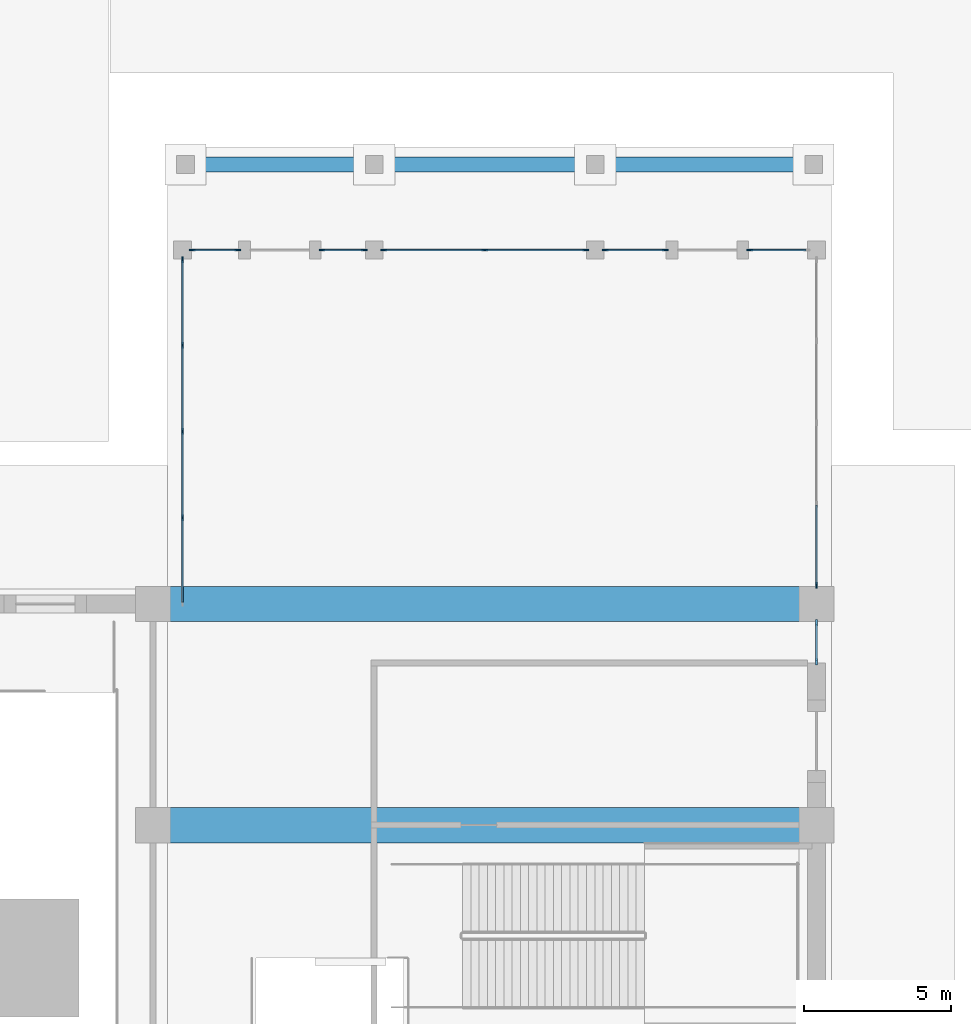
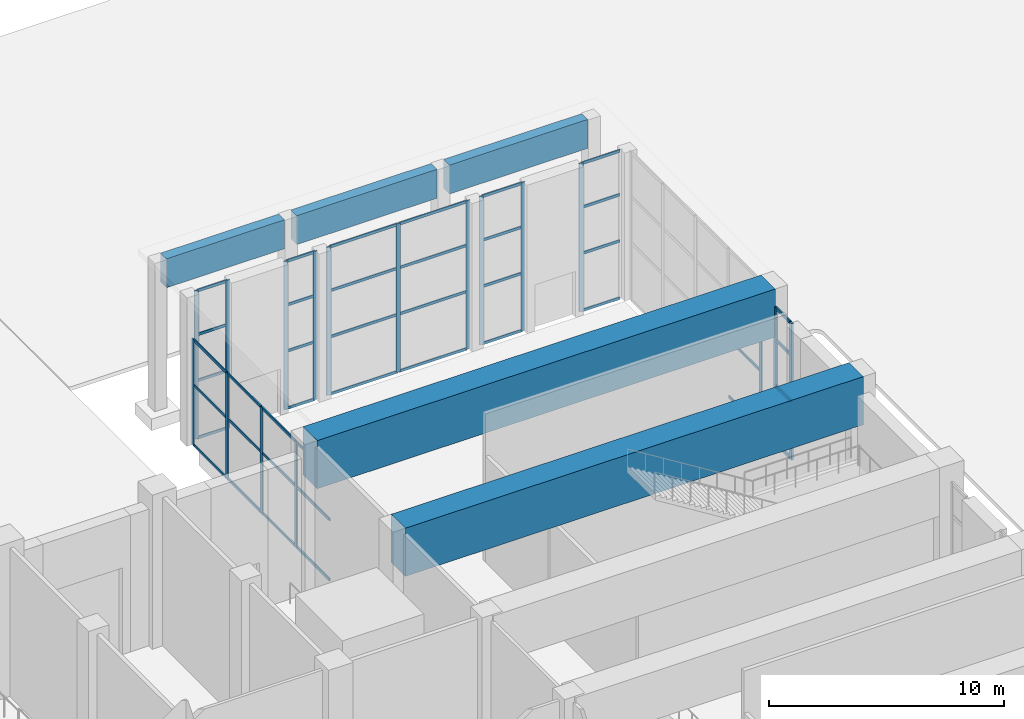
# One storey, part 14 of 57: 59 members, 5 beams, 8 elements without a shape of their own.
"""IFC4 building model written with IfcOpenShell, lengths in metres."""

from ifc_helpers import new_model, si_unit, direction, frame, origin, origin_2d, place, context, subcontext, project, spatial, rectangle, extrude, material, layer, layer_set, material_profile, profile_set, type_object, element, aggregate, save


model = new_model("IFC4")

# Units and contexts
model_context = context("Model", 3, precision=1e-05, world=origin(), true_north=direction((0.0, 1.0)))
body_context = subcontext(model_context, "Body", "Model", "MODEL_VIEW")
ifc_project = project(units=[si_unit("LENGTHUNIT", "METRE"), si_unit("AREAUNIT", "SQUARE_METRE"), si_unit("VOLUMEUNIT", "CUBIC_METRE"), si_unit("PLANEANGLEUNIT", "RADIAN"), si_unit("MASSUNIT", "GRAM", prefix="KILO")], contexts=[model_context])

# Site, building, storey
site_placement = place(None, origin())
site = spatial("IfcSite", under=ifc_project, at=site_placement, CompositionType="ELEMENT")
building_placement = place(site_placement, origin())
building = spatial("IfcBuilding", under=site, at=building_placement, Name="Tamorin Gate", CompositionType="ELEMENT")
storey_placement = place(building_placement, origin())
storey = spatial("IfcBuildingStorey", under=building, at=storey_placement, Name="L00", CompositionType="ELEMENT", Elevation=0.0)

# Curtain wall, members
ifc_material_1 = material(Name="Aluminium and glass", Category="aluminium")
ifc_layer_1 = layer(ifc_material_1, 0.199951171875)
ifc_layer_set_1 = layer_set([ifc_layer_1], Name="Station concourse glazing system")
curtain_wall_type_1 = type_object("IfcCurtainWallType", Name="Station concourse glazing system", PredefinedType="NOTDEFINED", material=ifc_layer_set_1)
curtain_wall_1_placement = place(storey_placement, origin())
curtain_wall_1 = element("IfcCurtainWall", 1, at=curtain_wall_1_placement, inside=storey, type_object=curtain_wall_type_1, Name="Station concourse glazing system L00", PredefinedType="NOTDEFINED")
ifc_material_2 = material(Name="Aluminium", Category="aluminium")
ifc_material_profile_1 = material_profile(ifc_material_2, rectangle(XDim=0.080078125, YDim=0.219970703125, at=origin_2d()), Name="RECT 80x220")
ifc_profile_set_1 = profile_set([ifc_material_profile_1], Name="Aluminium")
member_type_1 = type_object("IfcMemberType", Name="Concourse mullion 80x220", PredefinedType="MULLION", material=ifc_profile_set_1)
member_1_placement = place(storey_placement, frame((112.0, 110.0400390625, 0.0), z_axis=(0.0, 0.0, 1.0), x_axis=(-1.0, 0.0, 0.0)))
member_1 = element("IfcMember", 2, at=member_1_placement, type_object=member_type_1, Name="CWP11 mullion 1", PredefinedType="MULLION", context=body_context, shape_type="SweptSolid", body=[
    extrude(rectangle(XDim=0.080078125, YDim=0.219970703125, at=origin_2d()), origin(), (0.0, 0.0, 1.0), 7.10009765625),
])
member_2_placement = place(storey_placement, frame((112.0, 111.360107421875, 0.0), z_axis=(0.0, 0.0, 1.0), x_axis=(-1.0, 0.0, 0.0)))
member_2 = element("IfcMember", 3, at=member_2_placement, type_object=member_type_1, Name="CWP11 mullion 2", PredefinedType="MULLION", context=body_context, shape_type="SweptSolid", body=[
    extrude(rectangle(XDim=0.080078125, YDim=0.219970703125, at=origin_2d()), origin(), (0.0, 0.0, 1.0), 7.10009765625),
])
ifc_material_profile_2 = material_profile(ifc_material_2, rectangle(XDim=0.080078125, YDim=0.159912109375, at=origin_2d()), Name="RECT 80x160")
ifc_profile_set_2 = profile_set([ifc_material_profile_2], Name="Aluminium")
member_type_2 = type_object("IfcMemberType", Name="Concourse transom 80x160", PredefinedType="USERDEFINED", material=ifc_profile_set_2)
member_3_placement = place(storey_placement, frame((112.0, 110.080078125, 0.0400390625), z_axis=(0.0, 1.0, 0.0), x_axis=(-1.0, 0.0, 0.0)))
member_3 = element("IfcMember", 4, at=member_3_placement, type_object=member_type_2, Name="CWP11 transom 1.1", ObjectType="TRANSOM", PredefinedType="USERDEFINED", context=body_context, shape_type="SweptSolid", body=[
    extrude(rectangle(XDim=0.080078125, YDim=0.159912109375, at=origin_2d()), origin(), (0.0, 0.0, 1.0), 1.239990234375),
])
member_4_placement = place(storey_placement, frame((112.0, 110.080078125, 3.0), z_axis=(0.0, 1.0, 0.0), x_axis=(-1.0, 0.0, 0.0)))
member_4 = element("IfcMember", 5, at=member_4_placement, type_object=member_type_2, Name="CWP11 transom 1.2", ObjectType="TRANSOM", PredefinedType="USERDEFINED", context=body_context, shape_type="SweptSolid", body=[
    extrude(rectangle(XDim=0.080078125, YDim=0.159912109375, at=origin_2d()), origin(), (0.0, 0.0, 1.0), 1.239990234375),
])
member_5_placement = place(storey_placement, frame((112.0, 110.080078125, 5.39990234375), z_axis=(0.0, 1.0, 0.0), x_axis=(-1.0, 0.0, 0.0)))
member_5 = element("IfcMember", 6, at=member_5_placement, type_object=member_type_2, Name="CWP11 transom 1.3", ObjectType="TRANSOM", PredefinedType="USERDEFINED", context=body_context, shape_type="SweptSolid", body=[
    extrude(rectangle(XDim=0.080078125, YDim=0.159912109375, at=origin_2d()), origin(), (0.0, 0.0, 1.0), 1.239990234375),
])
member_6_placement = place(storey_placement, frame((112.0, 110.080078125, 7.06005859375), z_axis=(0.0, 1.0, 0.0), x_axis=(-1.0, 0.0, 0.0)))
member_6 = element("IfcMember", 7, at=member_6_placement, type_object=member_type_2, Name="CWP11 transom 1.4", ObjectType="TRANSOM", PredefinedType="USERDEFINED", context=body_context, shape_type="SweptSolid", body=[
    extrude(rectangle(XDim=0.080078125, YDim=0.159912109375, at=origin_2d()), origin(), (0.0, 0.0, 1.0), 1.239990234375),
])
aggregate(curtain_wall_1, [member_1, member_2, member_3, member_4, member_5, member_6])

ifc_layer_2 = layer(ifc_material_1, 0.199951171875)
ifc_layer_set_2 = layer_set([ifc_layer_2], Name="Station pavilion glazing system")
curtain_wall_type_2 = type_object("IfcCurtainWallType", Name="Station pavilion glazing system", PredefinedType="NOTDEFINED", material=ifc_layer_set_2)
curtain_wall_2_placement = place(storey_placement, origin())
curtain_wall_2 = element("IfcCurtainWall", 8, at=curtain_wall_2_placement, inside=storey, type_object=curtain_wall_type_2, Name="Station pavilion glazing system L00", PredefinedType="NOTDEFINED")
ifc_material_profile_3 = material_profile(ifc_material_2, rectangle(XDim=0.06005859375, YDim=0.199951171875, at=origin_2d()), Name="RECT 60x200")
ifc_profile_set_3 = profile_set([ifc_material_profile_3], Name="Aluminium")
member_type_3 = type_object("IfcMemberType", Name="Pavilion mullion 60x200", PredefinedType="MULLION", material=ifc_profile_set_3)
member_7_placement = place(storey_placement, frame((90.830078125, 124.0, 0.0), z_axis=(0.0, 0.0, 1.0), x_axis=(0.0, 1.0, 0.0)))
member_7 = element("IfcMember", 9, at=member_7_placement, type_object=member_type_3, Name="CWP12 mullion 1", PredefinedType="MULLION", context=body_context, shape_type="SweptSolid", body=[
    extrude(rectangle(XDim=0.06005859375, YDim=0.199951171875, at=origin_2d()), origin(), (0.0, 0.0, 1.0), 7.699951171875),
])
member_8_placement = place(storey_placement, frame((92.3701171875, 124.0, 0.0), z_axis=(0.0, 0.0, 1.0), x_axis=(0.0, 1.0, 0.0)))
member_8 = element("IfcMember", 10, at=member_8_placement, type_object=member_type_3, Name="CWP12 mullion 2", PredefinedType="MULLION", context=body_context, shape_type="SweptSolid", body=[
    extrude(rectangle(XDim=0.06005859375, YDim=0.199951171875, at=origin_2d()), origin(), (0.0, 0.0, 1.0), 7.699951171875),
])

curtain_wall_3_placement = place(storey_placement, origin())
curtain_wall_3 = element("IfcCurtainWall", 11, at=curtain_wall_3_placement, inside=storey, type_object=curtain_wall_type_2, Name="Station pavilion glazing system L00", PredefinedType="NOTDEFINED")
member_9_placement = place(storey_placement, frame((95.22998046875, 124.0, 0.0), z_axis=(0.0, 0.0, 1.0), x_axis=(0.0, 1.0, 0.0)))
member_9 = element("IfcMember", 12, at=member_9_placement, type_object=member_type_3, Name="CWP12 mullion 1", PredefinedType="MULLION", context=body_context, shape_type="SweptSolid", body=[
    extrude(rectangle(XDim=0.06005859375, YDim=0.199951171875, at=origin_2d()), origin(), (0.0, 0.0, 1.0), 7.699951171875),
])
member_10_placement = place(storey_placement, frame((96.669921875, 124.0, 0.0), z_axis=(0.0, 0.0, 1.0), x_axis=(0.0, 1.0, 0.0)))
member_10 = element("IfcMember", 13, at=member_10_placement, type_object=member_type_3, Name="CWP12 mullion 2", PredefinedType="MULLION", context=body_context, shape_type="SweptSolid", body=[
    extrude(rectangle(XDim=0.06005859375, YDim=0.199951171875, at=origin_2d()), origin(), (0.0, 0.0, 1.0), 7.699951171875),
])

curtain_wall_4_placement = place(storey_placement, origin())
curtain_wall_4 = element("IfcCurtainWall", 14, at=curtain_wall_4_placement, inside=storey, type_object=curtain_wall_type_2, Name="Station pavilion glazing system L00", PredefinedType="NOTDEFINED")
member_11_placement = place(storey_placement, frame((97.330078125, 124.0, 0.0), z_axis=(0.0, 0.0, 1.0), x_axis=(0.0, 1.0, 0.0)))
member_11 = element("IfcMember", 15, at=member_11_placement, type_object=member_type_3, Name="CWP12 mullion 1", PredefinedType="MULLION", context=body_context, shape_type="SweptSolid", body=[
    extrude(rectangle(XDim=0.06005859375, YDim=0.199951171875, at=origin_2d()), origin(), (0.0, 0.0, 1.0), 7.699951171875),
])
member_12_placement = place(storey_placement, frame((100.75, 124.0, 0.0), z_axis=(0.0, 0.0, 1.0), x_axis=(0.0, 1.0, 0.0)))
member_12 = element("IfcMember", 16, at=member_12_placement, type_object=member_type_3, Name="CWP12 mullion 2", PredefinedType="MULLION", context=body_context, shape_type="SweptSolid", body=[
    extrude(rectangle(XDim=0.06005859375, YDim=0.199951171875, at=origin_2d()), origin(), (0.0, 0.0, 1.0), 7.699951171875),
])
member_13_placement = place(storey_placement, frame((104.169921875, 124.0, 0.0), z_axis=(0.0, 0.0, 1.0), x_axis=(0.0, 1.0, 0.0)))
member_13 = element("IfcMember", 17, at=member_13_placement, type_object=member_type_3, Name="CWP12 mullion 3", PredefinedType="MULLION", context=body_context, shape_type="SweptSolid", body=[
    extrude(rectangle(XDim=0.06005859375, YDim=0.199951171875, at=origin_2d()), origin(), (0.0, 0.0, 1.0), 7.699951171875),
])

curtain_wall_5_placement = place(storey_placement, origin())
curtain_wall_5 = element("IfcCurtainWall", 18, at=curtain_wall_5_placement, inside=storey, type_object=curtain_wall_type_2, Name="Station pavilion glazing system L00", PredefinedType="NOTDEFINED")
member_14_placement = place(storey_placement, frame((104.830078125, 124.0, 0.0), z_axis=(0.0, 0.0, 1.0), x_axis=(0.0, 1.0, 0.0)))
member_14 = element("IfcMember", 19, at=member_14_placement, type_object=member_type_3, Name="CWP12 mullion 1", PredefinedType="MULLION", context=body_context, shape_type="SweptSolid", body=[
    extrude(rectangle(XDim=0.06005859375, YDim=0.199951171875, at=origin_2d()), origin(), (0.0, 0.0, 1.0), 7.699951171875),
])
member_15_placement = place(storey_placement, frame((106.8701171875, 124.0, 0.0), z_axis=(0.0, 0.0, 1.0), x_axis=(0.0, 1.0, 0.0)))
member_15 = element("IfcMember", 20, at=member_15_placement, type_object=member_type_3, Name="CWP12 mullion 2", PredefinedType="MULLION", context=body_context, shape_type="SweptSolid", body=[
    extrude(rectangle(XDim=0.06005859375, YDim=0.199951171875, at=origin_2d()), origin(), (0.0, 0.0, 1.0), 7.699951171875),
])

# Curtain wall, member
curtain_wall_6_placement = place(storey_placement, origin())
curtain_wall_6 = element("IfcCurtainWall", 21, at=curtain_wall_6_placement, inside=storey, type_object=curtain_wall_type_2, Name="Station pavilion glazing system L00", PredefinedType="NOTDEFINED")
member_16_placement = place(storey_placement, frame((109.72998046875, 124.0, 0.0), z_axis=(0.0, 0.0, 1.0), x_axis=(0.0, 1.0, 0.0)))
member_16 = element("IfcMember", 22, at=member_16_placement, type_object=member_type_3, Name="CWP12 mullion 1", PredefinedType="MULLION", context=body_context, shape_type="SweptSolid", body=[
    extrude(rectangle(XDim=0.06005859375, YDim=0.199951171875, at=origin_2d()), origin(), (0.0, 0.0, 1.0), 7.699951171875),
])

curtain_wall_7_placement = place(storey_placement, origin())
curtain_wall_7 = element("IfcCurtainWall", 23, at=curtain_wall_7_placement, inside=storey, type_object=curtain_wall_type_2, Name="Station pavilion glazing system L00", PredefinedType="NOTDEFINED")
member_17_placement = place(storey_placement, frame((112.0, 112.6298828125, 0.0), z_axis=(0.0, 0.0, 1.0), x_axis=(-1.0, 0.0, 0.0)))
member_17 = element("IfcMember", 24, at=member_17_placement, type_object=member_type_3, Name="CWP12 mullion 1", PredefinedType="MULLION", context=body_context, shape_type="SweptSolid", body=[
    extrude(rectangle(XDim=0.06005859375, YDim=0.199951171875, at=origin_2d()), origin(), (0.0, 0.0, 1.0), 7.699951171875),
])

# Curtain wall, members
curtain_wall_8_placement = place(storey_placement, origin())
curtain_wall_8 = element("IfcCurtainWall", 25, at=curtain_wall_8_placement, inside=storey, type_object=curtain_wall_type_2, Name="Station pavilion glazing system L00", PredefinedType="NOTDEFINED")
member_18_placement = place(storey_placement, frame((90.5, 114.925048828125, 0.0), z_axis=(0.0, 0.0, 1.0), x_axis=(-1.0, 0.0, 0.0)))
member_18 = element("IfcMember", 26, at=member_18_placement, type_object=member_type_3, Name="CWP12 mullion 2", PredefinedType="MULLION", context=body_context, shape_type="SweptSolid", body=[
    extrude(rectangle(XDim=0.06005859375, YDim=0.199951171875, at=origin_2d()), origin(), (0.0, 0.0, 1.0), 5.5),
])
member_19_placement = place(storey_placement, frame((90.5, 117.85009765625, 0.0), z_axis=(0.0, 0.0, 1.0), x_axis=(-1.0, 0.0, 0.0)))
member_19 = element("IfcMember", 27, at=member_19_placement, type_object=member_type_3, Name="CWP12 mullion 3", PredefinedType="MULLION", context=body_context, shape_type="SweptSolid", body=[
    extrude(rectangle(XDim=0.06005859375, YDim=0.199951171875, at=origin_2d()), origin(), (0.0, 0.0, 1.0), 5.5),
])
member_20_placement = place(storey_placement, frame((90.5, 120.77490234375, 0.0), z_axis=(0.0, 0.0, 1.0), x_axis=(-1.0, 0.0, 0.0)))
member_20 = element("IfcMember", 28, at=member_20_placement, type_object=member_type_3, Name="CWP12 mullion 4", PredefinedType="MULLION", context=body_context, shape_type="SweptSolid", body=[
    extrude(rectangle(XDim=0.06005859375, YDim=0.199951171875, at=origin_2d()), origin(), (0.0, 0.0, 1.0), 5.5),
])
member_21_placement = place(storey_placement, frame((90.5, 123.669921875, 0.0), z_axis=(0.0, 0.0, 1.0), x_axis=(-1.0, 0.0, 0.0)))
member_21 = element("IfcMember", 29, at=member_21_placement, type_object=member_type_3, Name="CWP12 mullion 5", PredefinedType="MULLION", context=body_context, shape_type="SweptSolid", body=[
    extrude(rectangle(XDim=0.06005859375, YDim=0.199951171875, at=origin_2d()), origin(), (0.0, 0.0, 1.0), 5.5),
])

# Member
ifc_material_profile_4 = material_profile(ifc_material_2, rectangle(XDim=0.06005859375, YDim=0.139892578125, at=origin_2d()), Name="RECT 60x140")
ifc_profile_set_4 = profile_set([ifc_material_profile_4], Name="Aluminium")
member_type_4 = type_object("IfcMemberType", Name="Pavilion transom 60x140", PredefinedType="USERDEFINED", material=ifc_profile_set_4)
member_22_placement = place(storey_placement, frame((90.860107421875, 124.0, 0.030029296875), z_axis=(1.0, 0.0, 0.0), x_axis=(0.0, 1.0, 0.0)))
member_22 = element("IfcMember", 30, at=member_22_placement, type_object=member_type_4, Name="CWP12 transom 1.1", ObjectType="TRANSOM", PredefinedType="USERDEFINED", context=body_context, shape_type="SweptSolid", body=[
    extrude(rectangle(XDim=0.06005859375, YDim=0.139892578125, at=origin_2d()), origin(), (0.0, 0.0, 1.0), 1.47998046875),
])

member_23_placement = place(storey_placement, frame((90.860107421875, 124.0, 3.0), z_axis=(1.0, 0.0, 0.0), x_axis=(0.0, 1.0, 0.0)))
member_23 = element("IfcMember", 31, at=member_23_placement, type_object=member_type_4, Name="CWP12 transom 1.2", ObjectType="TRANSOM", PredefinedType="USERDEFINED", context=body_context, shape_type="SweptSolid", body=[
    extrude(rectangle(XDim=0.06005859375, YDim=0.139892578125, at=origin_2d()), origin(), (0.0, 0.0, 1.0), 1.47998046875),
])

member_24_placement = place(storey_placement, frame((90.860107421875, 124.0, 5.39990234375), z_axis=(1.0, 0.0, 0.0), x_axis=(0.0, 1.0, 0.0)))
member_24 = element("IfcMember", 32, at=member_24_placement, type_object=member_type_4, Name="CWP12 transom 1.3", ObjectType="TRANSOM", PredefinedType="USERDEFINED", context=body_context, shape_type="SweptSolid", body=[
    extrude(rectangle(XDim=0.06005859375, YDim=0.139892578125, at=origin_2d()), origin(), (0.0, 0.0, 1.0), 1.47998046875),
])

member_25_placement = place(storey_placement, frame((90.860107421875, 124.0, 7.669921875), z_axis=(1.0, 0.0, 0.0), x_axis=(0.0, 1.0, 0.0)))
member_25 = element("IfcMember", 33, at=member_25_placement, type_object=member_type_4, Name="CWP12 transom 1.4", ObjectType="TRANSOM", PredefinedType="USERDEFINED", context=body_context, shape_type="SweptSolid", body=[
    extrude(rectangle(XDim=0.06005859375, YDim=0.139892578125, at=origin_2d()), origin(), (0.0, 0.0, 1.0), 1.47998046875),
])

aggregate(curtain_wall_2, [member_7, member_8, member_22, member_23, member_24, member_25])

member_26_placement = place(storey_placement, frame((95.260009765625, 124.0, 0.030029296875), z_axis=(1.0, 0.0, 0.0), x_axis=(0.0, 1.0, 0.0)))
member_26 = element("IfcMember", 34, at=member_26_placement, type_object=member_type_4, Name="CWP12 transom 1.1", ObjectType="TRANSOM", PredefinedType="USERDEFINED", context=body_context, shape_type="SweptSolid", body=[
    extrude(rectangle(XDim=0.06005859375, YDim=0.139892578125, at=origin_2d()), origin(), (0.0, 0.0, 1.0), 1.3798828125),
])

member_27_placement = place(storey_placement, frame((95.260009765625, 124.0, 3.0), z_axis=(1.0, 0.0, 0.0), x_axis=(0.0, 1.0, 0.0)))
member_27 = element("IfcMember", 35, at=member_27_placement, type_object=member_type_4, Name="CWP12 transom 1.2", ObjectType="TRANSOM", PredefinedType="USERDEFINED", context=body_context, shape_type="SweptSolid", body=[
    extrude(rectangle(XDim=0.06005859375, YDim=0.139892578125, at=origin_2d()), origin(), (0.0, 0.0, 1.0), 1.3798828125),
])

member_28_placement = place(storey_placement, frame((95.260009765625, 124.0, 5.39990234375), z_axis=(1.0, 0.0, 0.0), x_axis=(0.0, 1.0, 0.0)))
member_28 = element("IfcMember", 36, at=member_28_placement, type_object=member_type_4, Name="CWP12 transom 1.3", ObjectType="TRANSOM", PredefinedType="USERDEFINED", context=body_context, shape_type="SweptSolid", body=[
    extrude(rectangle(XDim=0.06005859375, YDim=0.139892578125, at=origin_2d()), origin(), (0.0, 0.0, 1.0), 1.3798828125),
])

member_29_placement = place(storey_placement, frame((95.260009765625, 124.0, 7.669921875), z_axis=(1.0, 0.0, 0.0), x_axis=(0.0, 1.0, 0.0)))
member_29 = element("IfcMember", 37, at=member_29_placement, type_object=member_type_4, Name="CWP12 transom 1.4", ObjectType="TRANSOM", PredefinedType="USERDEFINED", context=body_context, shape_type="SweptSolid", body=[
    extrude(rectangle(XDim=0.06005859375, YDim=0.139892578125, at=origin_2d()), origin(), (0.0, 0.0, 1.0), 1.3798828125),
])

aggregate(curtain_wall_3, [member_9, member_10, member_26, member_27, member_28, member_29])

member_30_placement = place(storey_placement, frame((97.360107421875, 124.0, 0.030029296875), z_axis=(1.0, 0.0, 0.0), x_axis=(0.0, 1.0, 0.0)))
member_30 = element("IfcMember", 38, at=member_30_placement, type_object=member_type_4, Name="CWP12 transom 1.1", ObjectType="TRANSOM", PredefinedType="USERDEFINED", context=body_context, shape_type="SweptSolid", body=[
    extrude(rectangle(XDim=0.06005859375, YDim=0.139892578125, at=origin_2d()), origin(), (0.0, 0.0, 1.0), 3.35986328125),
])

member_31_placement = place(storey_placement, frame((97.360107421875, 124.0, 3.0), z_axis=(1.0, 0.0, 0.0), x_axis=(0.0, 1.0, 0.0)))
member_31 = element("IfcMember", 39, at=member_31_placement, type_object=member_type_4, Name="CWP12 transom 1.2", ObjectType="TRANSOM", PredefinedType="USERDEFINED", context=body_context, shape_type="SweptSolid", body=[
    extrude(rectangle(XDim=0.06005859375, YDim=0.139892578125, at=origin_2d()), origin(), (0.0, 0.0, 1.0), 3.35986328125),
])

member_32_placement = place(storey_placement, frame((97.360107421875, 124.0, 5.39990234375), z_axis=(1.0, 0.0, 0.0), x_axis=(0.0, 1.0, 0.0)))
member_32 = element("IfcMember", 40, at=member_32_placement, type_object=member_type_4, Name="CWP12 transom 1.3", ObjectType="TRANSOM", PredefinedType="USERDEFINED", context=body_context, shape_type="SweptSolid", body=[
    extrude(rectangle(XDim=0.06005859375, YDim=0.139892578125, at=origin_2d()), origin(), (0.0, 0.0, 1.0), 3.35986328125),
])

member_33_placement = place(storey_placement, frame((97.360107421875, 124.0, 7.669921875), z_axis=(1.0, 0.0, 0.0), x_axis=(0.0, 1.0, 0.0)))
member_33 = element("IfcMember", 41, at=member_33_placement, type_object=member_type_4, Name="CWP12 transom 1.4", ObjectType="TRANSOM", PredefinedType="USERDEFINED", context=body_context, shape_type="SweptSolid", body=[
    extrude(rectangle(XDim=0.06005859375, YDim=0.139892578125, at=origin_2d()), origin(), (0.0, 0.0, 1.0), 3.35986328125),
])

member_34_placement = place(storey_placement, frame((100.780029296875, 124.0, 0.030029296875), z_axis=(1.0, 0.0, 0.0), x_axis=(0.0, 1.0, 0.0)))
member_34 = element("IfcMember", 42, at=member_34_placement, type_object=member_type_4, Name="CWP12 transom 2.1", ObjectType="TRANSOM", PredefinedType="USERDEFINED", context=body_context, shape_type="SweptSolid", body=[
    extrude(rectangle(XDim=0.06005859375, YDim=0.139892578125, at=origin_2d()), origin(), (0.0, 0.0, 1.0), 3.35986328125),
])

member_35_placement = place(storey_placement, frame((100.780029296875, 124.0, 3.0), z_axis=(1.0, 0.0, 0.0), x_axis=(0.0, 1.0, 0.0)))
member_35 = element("IfcMember", 43, at=member_35_placement, type_object=member_type_4, Name="CWP12 transom 2.2", ObjectType="TRANSOM", PredefinedType="USERDEFINED", context=body_context, shape_type="SweptSolid", body=[
    extrude(rectangle(XDim=0.06005859375, YDim=0.139892578125, at=origin_2d()), origin(), (0.0, 0.0, 1.0), 3.35986328125),
])

member_36_placement = place(storey_placement, frame((100.780029296875, 124.0, 5.39990234375), z_axis=(1.0, 0.0, 0.0), x_axis=(0.0, 1.0, 0.0)))
member_36 = element("IfcMember", 44, at=member_36_placement, type_object=member_type_4, Name="CWP12 transom 2.3", ObjectType="TRANSOM", PredefinedType="USERDEFINED", context=body_context, shape_type="SweptSolid", body=[
    extrude(rectangle(XDim=0.06005859375, YDim=0.139892578125, at=origin_2d()), origin(), (0.0, 0.0, 1.0), 3.35986328125),
])

member_37_placement = place(storey_placement, frame((100.780029296875, 124.0, 7.669921875), z_axis=(1.0, 0.0, 0.0), x_axis=(0.0, 1.0, 0.0)))
member_37 = element("IfcMember", 45, at=member_37_placement, type_object=member_type_4, Name="CWP12 transom 2.4", ObjectType="TRANSOM", PredefinedType="USERDEFINED", context=body_context, shape_type="SweptSolid", body=[
    extrude(rectangle(XDim=0.06005859375, YDim=0.139892578125, at=origin_2d()), origin(), (0.0, 0.0, 1.0), 3.35986328125),
])

aggregate(curtain_wall_4, [member_11, member_12, member_13, member_30, member_31, member_32, member_33, member_34, member_35, member_36, member_37])

member_38_placement = place(storey_placement, frame((104.860107421875, 124.0, 0.030029296875), z_axis=(1.0, 0.0, 0.0), x_axis=(0.0, 1.0, 0.0)))
member_38 = element("IfcMember", 46, at=member_38_placement, type_object=member_type_4, Name="CWP12 transom 1.1", ObjectType="TRANSOM", PredefinedType="USERDEFINED", context=body_context, shape_type="SweptSolid", body=[
    extrude(rectangle(XDim=0.06005859375, YDim=0.139892578125, at=origin_2d()), origin(), (0.0, 0.0, 1.0), 1.97998046875),
])

member_39_placement = place(storey_placement, frame((104.860107421875, 124.0, 3.0), z_axis=(1.0, 0.0, 0.0), x_axis=(0.0, 1.0, 0.0)))
member_39 = element("IfcMember", 47, at=member_39_placement, type_object=member_type_4, Name="CWP12 transom 1.2", ObjectType="TRANSOM", PredefinedType="USERDEFINED", context=body_context, shape_type="SweptSolid", body=[
    extrude(rectangle(XDim=0.06005859375, YDim=0.139892578125, at=origin_2d()), origin(), (0.0, 0.0, 1.0), 1.97998046875),
])

member_40_placement = place(storey_placement, frame((104.860107421875, 124.0, 5.39990234375), z_axis=(1.0, 0.0, 0.0), x_axis=(0.0, 1.0, 0.0)))
member_40 = element("IfcMember", 48, at=member_40_placement, type_object=member_type_4, Name="CWP12 transom 1.3", ObjectType="TRANSOM", PredefinedType="USERDEFINED", context=body_context, shape_type="SweptSolid", body=[
    extrude(rectangle(XDim=0.06005859375, YDim=0.139892578125, at=origin_2d()), origin(), (0.0, 0.0, 1.0), 1.97998046875),
])

member_41_placement = place(storey_placement, frame((104.860107421875, 124.0, 7.669921875), z_axis=(1.0, 0.0, 0.0), x_axis=(0.0, 1.0, 0.0)))
member_41 = element("IfcMember", 49, at=member_41_placement, type_object=member_type_4, Name="CWP12 transom 1.4", ObjectType="TRANSOM", PredefinedType="USERDEFINED", context=body_context, shape_type="SweptSolid", body=[
    extrude(rectangle(XDim=0.06005859375, YDim=0.139892578125, at=origin_2d()), origin(), (0.0, 0.0, 1.0), 1.97998046875),
])

aggregate(curtain_wall_5, [member_14, member_15, member_38, member_39, member_40, member_41])

member_42_placement = place(storey_placement, frame((109.760009765625, 124.0, 0.030029296875), z_axis=(1.0, 0.0, 0.0), x_axis=(0.0, 1.0, 0.0)))
member_42 = element("IfcMember", 50, at=member_42_placement, type_object=member_type_4, Name="CWP12 transom 1.1", ObjectType="TRANSOM", PredefinedType="USERDEFINED", context=body_context, shape_type="SweptSolid", body=[
    extrude(rectangle(XDim=0.06005859375, YDim=0.139892578125, at=origin_2d()), origin(), (0.0, 0.0, 1.0), 1.8798828125),
])

member_43_placement = place(storey_placement, frame((109.760009765625, 124.0, 3.0), z_axis=(1.0, 0.0, 0.0), x_axis=(0.0, 1.0, 0.0)))
member_43 = element("IfcMember", 51, at=member_43_placement, type_object=member_type_4, Name="CWP12 transom 1.2", ObjectType="TRANSOM", PredefinedType="USERDEFINED", context=body_context, shape_type="SweptSolid", body=[
    extrude(rectangle(XDim=0.06005859375, YDim=0.139892578125, at=origin_2d()), origin(), (0.0, 0.0, 1.0), 1.8798828125),
])

member_44_placement = place(storey_placement, frame((109.760009765625, 124.0, 5.39990234375), z_axis=(1.0, 0.0, 0.0), x_axis=(0.0, 1.0, 0.0)))
member_44 = element("IfcMember", 52, at=member_44_placement, type_object=member_type_4, Name="CWP12 transom 1.3", ObjectType="TRANSOM", PredefinedType="USERDEFINED", context=body_context, shape_type="SweptSolid", body=[
    extrude(rectangle(XDim=0.06005859375, YDim=0.139892578125, at=origin_2d()), origin(), (0.0, 0.0, 1.0), 1.8798828125),
])

member_45_placement = place(storey_placement, frame((109.760009765625, 124.0, 7.669921875), z_axis=(1.0, 0.0, 0.0), x_axis=(0.0, 1.0, 0.0)))
member_45 = element("IfcMember", 53, at=member_45_placement, type_object=member_type_4, Name="CWP12 transom 1.4", ObjectType="TRANSOM", PredefinedType="USERDEFINED", context=body_context, shape_type="SweptSolid", body=[
    extrude(rectangle(XDim=0.06005859375, YDim=0.139892578125, at=origin_2d()), origin(), (0.0, 0.0, 1.0), 1.8798828125),
])

aggregate(curtain_wall_6, [member_16, member_42, member_43, member_44, member_45])

member_46_placement = place(storey_placement, frame((112.0, 112.659912109375, 0.030029296875), z_axis=(0.0, 1.0, 0.0), x_axis=(-1.0, 0.0, 0.0)))
member_46 = element("IfcMember", 54, at=member_46_placement, type_object=member_type_4, Name="CWP12 transom 1.1", ObjectType="TRANSOM", PredefinedType="USERDEFINED", context=body_context, shape_type="SweptSolid", body=[
    extrude(rectangle(XDim=0.06005859375, YDim=0.139892578125, at=origin_2d()), origin(), (0.0, 0.0, 1.0), 2.68505859375),
])

member_47_placement = place(storey_placement, frame((112.0, 112.659912109375, 3.0), z_axis=(0.0, 1.0, 0.0), x_axis=(-1.0, 0.0, 0.0)))
member_47 = element("IfcMember", 55, at=member_47_placement, type_object=member_type_4, Name="CWP12 transom 1.2", ObjectType="TRANSOM", PredefinedType="USERDEFINED", context=body_context, shape_type="SweptSolid", body=[
    extrude(rectangle(XDim=0.06005859375, YDim=0.139892578125, at=origin_2d()), origin(), (0.0, 0.0, 1.0), 2.68505859375),
])

aggregate(curtain_wall_7, [member_17, member_46, member_47])

member_48_placement = place(storey_placement, frame((90.5, 112.06005859375, 0.030029296875), z_axis=(0.0, 1.0, 0.0), x_axis=(-1.0, 0.0, 0.0)))
member_48 = element("IfcMember", 56, at=member_48_placement, type_object=member_type_4, Name="CWP12 transom 1.1", ObjectType="TRANSOM", PredefinedType="USERDEFINED", context=body_context, shape_type="SweptSolid", body=[
    extrude(rectangle(XDim=0.06005859375, YDim=0.139892578125, at=origin_2d()), origin(), (0.0, 0.0, 1.0), 2.8349609375),
])

member_49_placement = place(storey_placement, frame((90.5, 112.06005859375, 3.14990234375), z_axis=(0.0, 1.0, 0.0), x_axis=(-1.0, 0.0, 0.0)))
member_49 = element("IfcMember", 57, at=member_49_placement, type_object=member_type_4, Name="CWP12 transom 1.2", ObjectType="TRANSOM", PredefinedType="USERDEFINED", context=body_context, shape_type="SweptSolid", body=[
    extrude(rectangle(XDim=0.06005859375, YDim=0.139892578125, at=origin_2d()), origin(), (0.0, 0.0, 1.0), 2.8349609375),
])

member_50_placement = place(storey_placement, frame((90.5, 112.06005859375, 5.469970703125), z_axis=(0.0, 1.0, 0.0), x_axis=(-1.0, 0.0, 0.0)))
member_50 = element("IfcMember", 58, at=member_50_placement, type_object=member_type_4, Name="CWP12 transom 1.3", ObjectType="TRANSOM", PredefinedType="USERDEFINED", context=body_context, shape_type="SweptSolid", body=[
    extrude(rectangle(XDim=0.06005859375, YDim=0.139892578125, at=origin_2d()), origin(), (0.0, 0.0, 1.0), 2.8349609375),
])

member_51_placement = place(storey_placement, frame((90.5, 114.955078125, 0.030029296875), z_axis=(0.0, 1.0, 0.0), x_axis=(-1.0, 0.0, 0.0)))
member_51 = element("IfcMember", 59, at=member_51_placement, type_object=member_type_4, Name="CWP12 transom 2.1", ObjectType="TRANSOM", PredefinedType="USERDEFINED", context=body_context, shape_type="SweptSolid", body=[
    extrude(rectangle(XDim=0.06005859375, YDim=0.139892578125, at=origin_2d()), origin(), (0.0, 0.0, 1.0), 2.864990234375),
])

member_52_placement = place(storey_placement, frame((90.5, 114.955078125, 3.14990234375), z_axis=(0.0, 1.0, 0.0), x_axis=(-1.0, 0.0, 0.0)))
member_52 = element("IfcMember", 60, at=member_52_placement, type_object=member_type_4, Name="CWP12 transom 2.2", ObjectType="TRANSOM", PredefinedType="USERDEFINED", context=body_context, shape_type="SweptSolid", body=[
    extrude(rectangle(XDim=0.06005859375, YDim=0.139892578125, at=origin_2d()), origin(), (0.0, 0.0, 1.0), 2.864990234375),
])

member_53_placement = place(storey_placement, frame((90.5, 114.955078125, 5.469970703125), z_axis=(0.0, 1.0, 0.0), x_axis=(-1.0, 0.0, 0.0)))
member_53 = element("IfcMember", 61, at=member_53_placement, type_object=member_type_4, Name="CWP12 transom 2.3", ObjectType="TRANSOM", PredefinedType="USERDEFINED", context=body_context, shape_type="SweptSolid", body=[
    extrude(rectangle(XDim=0.06005859375, YDim=0.139892578125, at=origin_2d()), origin(), (0.0, 0.0, 1.0), 2.864990234375),
])

member_54_placement = place(storey_placement, frame((90.5, 117.8798828125, 0.030029296875), z_axis=(0.0, 1.0, 0.0), x_axis=(-1.0, 0.0, 0.0)))
member_54 = element("IfcMember", 62, at=member_54_placement, type_object=member_type_4, Name="CWP12 transom 3.1", ObjectType="TRANSOM", PredefinedType="USERDEFINED", context=body_context, shape_type="SweptSolid", body=[
    extrude(rectangle(XDim=0.06005859375, YDim=0.139892578125, at=origin_2d()), origin(), (0.0, 0.0, 1.0), 2.865234375),
])

member_55_placement = place(storey_placement, frame((90.5, 117.8798828125, 3.14990234375), z_axis=(0.0, 1.0, 0.0), x_axis=(-1.0, 0.0, 0.0)))
member_55 = element("IfcMember", 63, at=member_55_placement, type_object=member_type_4, Name="CWP12 transom 3.2", ObjectType="TRANSOM", PredefinedType="USERDEFINED", context=body_context, shape_type="SweptSolid", body=[
    extrude(rectangle(XDim=0.06005859375, YDim=0.139892578125, at=origin_2d()), origin(), (0.0, 0.0, 1.0), 2.865234375),
])

member_56_placement = place(storey_placement, frame((90.5, 117.8798828125, 5.469970703125), z_axis=(0.0, 1.0, 0.0), x_axis=(-1.0, 0.0, 0.0)))
member_56 = element("IfcMember", 64, at=member_56_placement, type_object=member_type_4, Name="CWP12 transom 3.3", ObjectType="TRANSOM", PredefinedType="USERDEFINED", context=body_context, shape_type="SweptSolid", body=[
    extrude(rectangle(XDim=0.06005859375, YDim=0.139892578125, at=origin_2d()), origin(), (0.0, 0.0, 1.0), 2.865234375),
])

member_57_placement = place(storey_placement, frame((90.5, 120.804931640625, 0.030029296875), z_axis=(0.0, 1.0, 0.0), x_axis=(-1.0, 0.0, 0.0)))
member_57 = element("IfcMember", 65, at=member_57_placement, type_object=member_type_4, Name="CWP12 transom 4.1", ObjectType="TRANSOM", PredefinedType="USERDEFINED", context=body_context, shape_type="SweptSolid", body=[
    extrude(rectangle(XDim=0.06005859375, YDim=0.139892578125, at=origin_2d()), origin(), (0.0, 0.0, 1.0), 2.8349609375),
])

member_58_placement = place(storey_placement, frame((90.5, 120.804931640625, 3.14990234375), z_axis=(0.0, 1.0, 0.0), x_axis=(-1.0, 0.0, 0.0)))
member_58 = element("IfcMember", 66, at=member_58_placement, type_object=member_type_4, Name="CWP12 transom 4.2", ObjectType="TRANSOM", PredefinedType="USERDEFINED", context=body_context, shape_type="SweptSolid", body=[
    extrude(rectangle(XDim=0.06005859375, YDim=0.139892578125, at=origin_2d()), origin(), (0.0, 0.0, 1.0), 2.8349609375),
])

member_59_placement = place(storey_placement, frame((90.5, 120.804931640625, 5.469970703125), z_axis=(0.0, 1.0, 0.0), x_axis=(-1.0, 0.0, 0.0)))
member_59 = element("IfcMember", 67, at=member_59_placement, type_object=member_type_4, Name="CWP12 transom 4.3", ObjectType="TRANSOM", PredefinedType="USERDEFINED", context=body_context, shape_type="SweptSolid", body=[
    extrude(rectangle(XDim=0.06005859375, YDim=0.139892578125, at=origin_2d()), origin(), (0.0, 0.0, 1.0), 2.8349609375),
])

aggregate(curtain_wall_8, [member_18, member_19, member_20, member_21, member_48, member_49, member_50, member_51, member_52, member_53, member_54, member_55, member_56, member_57, member_58, member_59])

# Beams
ifc_material_3 = material(Name="Precast concrete C40/50", Category="concrete")
ifc_material_profile_5 = material_profile(ifc_material_3, rectangle(XDim=0.5, YDim=1.5, at=origin_2d()), Name="RC 500x1500")
ifc_profile_set_5 = profile_set([ifc_material_profile_5], Name="Precast concrete C40/50")
beam_type_1 = type_object("IfcBeamType", Name="Portal band beam 500x1500", PredefinedType="BEAM", material=ifc_profile_set_5)
beam_1_placement = place(storey_placement, frame((90.89990234375, 126.89990234375, 6.949951171875), z_axis=(1.0, 0.0, 0.0), x_axis=(0.0, 1.0, 0.0)))
element("IfcBeam", 68, at=beam_1_placement, inside=storey, type_object=beam_type_1, Name="Station entrance band", PredefinedType="BEAM", context=body_context, shape_type="SweptSolid", body=[
    extrude(rectangle(XDim=0.5, YDim=1.5, at=origin_2d()), origin(), (0.0, 0.0, 1.0), 5.800048828125),
])
beam_2_placement = place(storey_placement, frame((97.300048828125, 126.89990234375, 6.949951171875), z_axis=(1.0, 0.0, 0.0), x_axis=(0.0, 1.0, 0.0)))
element("IfcBeam", 69, at=beam_2_placement, inside=storey, type_object=beam_type_1, Name="Station entrance band", PredefinedType="BEAM", context=body_context, shape_type="SweptSolid", body=[
    extrude(rectangle(XDim=0.5, YDim=1.5, at=origin_2d()), origin(), (0.0, 0.0, 1.0), 6.89990234375),
])
beam_3_placement = place(storey_placement, frame((104.800048828125, 126.89990234375, 6.949951171875), z_axis=(1.0, 0.0, 0.0), x_axis=(0.0, 1.0, 0.0)))
element("IfcBeam", 70, at=beam_3_placement, inside=storey, type_object=beam_type_1, Name="Station entrance band", PredefinedType="BEAM", context=body_context, shape_type="SweptSolid", body=[
    extrude(rectangle(XDim=0.5, YDim=1.5, at=origin_2d()), origin(), (0.0, 0.0, 1.0), 6.800048828125),
])
ifc_material_4 = material(Name="Concrete C60/75", Category="concrete")
ifc_material_profile_6 = material_profile(ifc_material_4, rectangle(XDim=1.199951171875, YDim=2.5, at=origin_2d()), Name="RC 1200x2500")
ifc_profile_set_6 = profile_set([ifc_material_profile_6], Name="Concrete C60/75")
beam_type_2 = type_object("IfcBeamType", Name="RC transfer girder 1200x2500 C60/75", PredefinedType="BEAM", material=ifc_profile_set_6)
for number, where, z_axis, x_axis, name in (
    (71, (89.5, 104.5, 6.75), (1.0, 0.0, 0.0), (0.0, 1.0, 0.0), "Transfer girder L00"),
    (72, (89.5, 112.0, 6.75), (1.0, 0.0, 0.0), (0.0, 1.0, 0.0), "Transfer girder L00"),
):
    element("IfcBeam", number, at=place(storey_placement, frame(where, z_axis=z_axis, x_axis=x_axis)), inside=storey, type_object=beam_type_2, Name=name, PredefinedType="BEAM", context=body_context, shape_type="SweptSolid", body=[
        extrude(rectangle(XDim=1.199951171875, YDim=2.5, at=origin_2d()), origin(), (0.0, 0.0, 1.0), 22.5),
    ])

save(model, "model.ifc")
